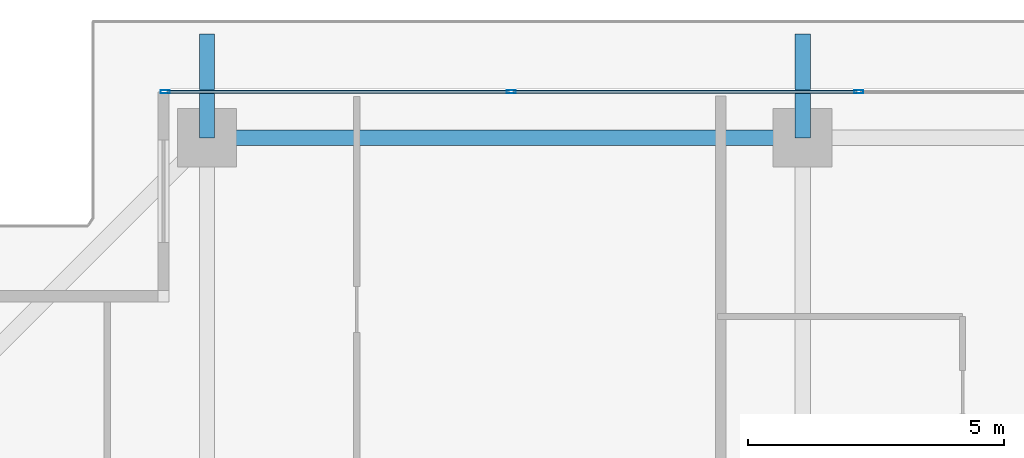
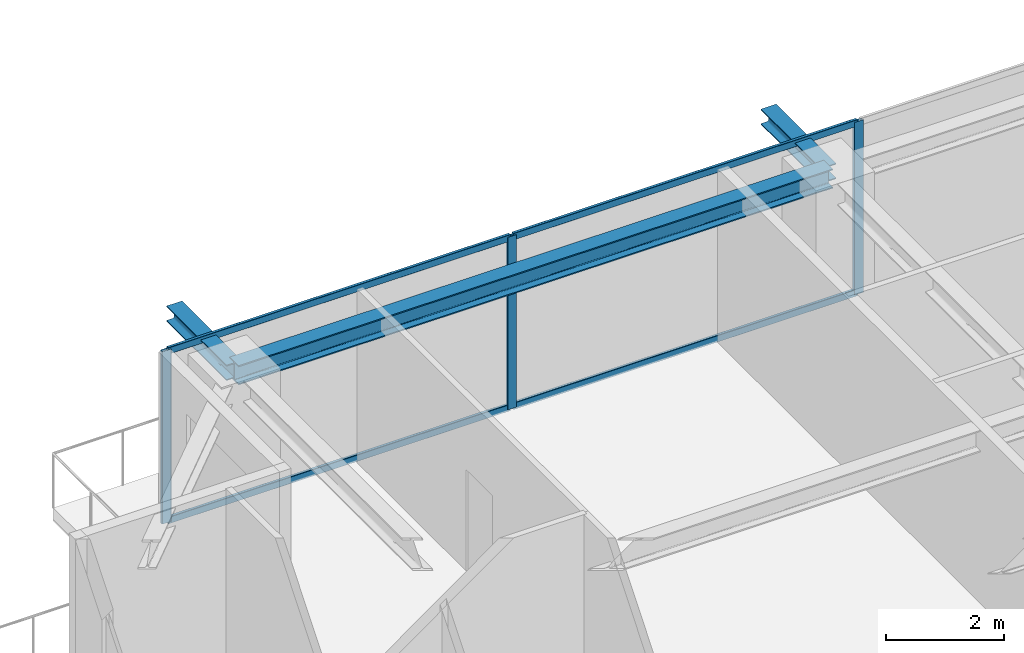
# One storey, part 18 of 38: 7 members, 3 beams, 1 element without a shape of its own.
"""IFC4 building model written with IfcOpenShell, lengths in metres."""

from ifc_helpers import new_model, si_unit, direction, frame, origin, origin_2d, place, context, subcontext, project, spatial, hollow_rectangle, i_section, extrude, source, transform, mapped, material, layer, layer_set, material_profile, profile_set, type_object, element, aggregate, save


model = new_model("IFC4")

# Units and contexts
model_context = context("Model", 3, precision=1e-05, world=origin(), true_north=direction((0.0, 1.0)))
body_context = subcontext(model_context, "Body", "Model", "MODEL_VIEW")
ifc_project = project(units=[si_unit("LENGTHUNIT", "METRE"), si_unit("AREAUNIT", "SQUARE_METRE"), si_unit("VOLUMEUNIT", "CUBIC_METRE"), si_unit("PLANEANGLEUNIT", "RADIAN"), si_unit("MASSUNIT", "GRAM", prefix="KILO")], contexts=[model_context])

# Site, building, storey
site_placement = place(None, origin())
site = spatial("IfcSite", under=ifc_project, at=site_placement, CompositionType="ELEMENT")
building_placement = place(site_placement, origin())
building = spatial("IfcBuilding", under=site, at=building_placement, Name="Serunith Strait Residences", CompositionType="ELEMENT")
storey_placement = place(building_placement, frame((0.0, 0.0, 241.25)))
storey = spatial("IfcBuildingStorey", under=building, at=storey_placement, Name="L60", CompositionType="ELEMENT", Elevation=241.25)

# Beams
ifc_material_1 = material(Name="Steel S355J2", Category="steel")
ifc_material_profile_1 = material_profile(ifc_material_1, i_section(OverallWidth=0.300048828125, OverallDepth=0.39990234375, WebThickness=0.013427734375, FlangeThickness=0.02392578125, FilletRadius=0.027099609375, at=origin_2d()), Name="HEB 400")
ifc_profile_set_1 = profile_set([ifc_material_profile_1], Name="Steel S355J2")
beam_type_1 = type_object("IfcBeamType", Name="BM-HEB400", PredefinedType="BEAM", material=ifc_profile_set_1)
shared_shape_1 = source(origin(), body_context, "Body", "SweptSolid", [
    extrude(i_section(OverallWidth=0.300048828125, OverallDepth=0.39990234375, WebThickness=0.013427734375, FlangeThickness=0.02392578125, FilletRadius=0.027099609375, at=origin_2d()), origin(), (0.0, 0.0, 1.0), 11.64990234375),
])
beam_placement = place(storey_placement, frame((27.89990234375, 48.300048828125, 3.386962890625), z_axis=(-1.0, 0.0, 0.0), x_axis=(0.0, -1.0, 0.0)))
element("IfcBeam", 1, at=beam_placement, inside=storey, type_object=beam_type_1, Name="L60 Perimeter Ring Beam 11", PredefinedType="BEAM", context=body_context, shape_type="MappedRepresentation", body=[
    mapped(shared_shape_1, transform((0.0, 0.0, 0.0), scale=1.0)),
])
ifc_material_profile_2 = material_profile(ifc_material_1, i_section(OverallWidth=0.300048828125, OverallDepth=0.320068359375, WebThickness=0.011474609375, FlangeThickness=0.0205078125, FilletRadius=0.027099609375, at=origin_2d()), Name="HEB 320")
ifc_profile_set_2 = profile_set([ifc_material_profile_2], Name="Steel S355J2")
beam_type_2 = type_object("IfcBeamType", Name="BM-HEB320", PredefinedType="BEAM", material=ifc_profile_set_2)
shared_shape_2 = source(origin(), body_context, "Body", "SweptSolid", [
    extrude(i_section(OverallWidth=0.300048828125, OverallDepth=0.320068359375, WebThickness=0.011474609375, FlangeThickness=0.0205078125, FilletRadius=0.027099609375, at=origin_2d()), origin(), (0.0, 0.0, 1.0), 2.030029296875),
])
for number, where, z_axis, x_axis, name in (
    (2, (16.25, 48.300048828125, 3.39697265625), (0.0, 1.0, 0.0), (-1.0, 0.0, 0.0), "L61 Cantilevered Balcony Rib TC-N1"),
    (3, (27.89990234375, 48.300048828125, 3.39697265625), (0.0, 1.0, 0.0), (-1.0, 0.0, 0.0), "L61 Cantilevered Balcony Rib TC-N2"),
):
    element("IfcBeam", number, at=place(storey_placement, frame(where, z_axis=z_axis, x_axis=x_axis)), inside=storey, type_object=beam_type_2, Name=name, PredefinedType="BEAM", context=body_context, shape_type="MappedRepresentation", body=[
        mapped(shared_shape_2, transform((0.0, 0.0, 0.0), scale=1.0)),
    ])

# Curtain wall, members
ifc_material_2 = material(Name="Pale-Champagne Anodised Aluminium", Category="aluminium")
ifc_layer = layer(ifc_material_2, 0.199951171875, Name="Pale-Champagne Anodised Aluminium")
ifc_layer_set = layer_set([ifc_layer], Name="Pale-Champagne Anodised Aluminium")
curtain_wall_type = type_object("IfcCurtainWallType", Name="CW-SYS4", PredefinedType="NOTDEFINED", material=ifc_layer_set)
curtain_wall_placement = place(storey_placement, origin())
curtain_wall = element("IfcCurtainWall", 4, at=curtain_wall_placement, inside=storey, type_object=curtain_wall_type, Name="L60 N Unitised Fritted Curtain Wall", PredefinedType="NOTDEFINED")
ifc_material_profile_3 = material_profile(ifc_material_2, hollow_rectangle(XDim=0.06494140625, YDim=0.179931640625, WallThickness=0.00341796875, InnerFilletRadius=0.00537109375, OuterFilletRadius=0.0087890625, at=origin_2d()), Name="ALU 180x65x3.5")
ifc_profile_set_3 = profile_set([ifc_material_profile_3], Name="Pale-Champagne Anodised Aluminium")
member_type_1 = type_object("IfcMemberType", Name="CW-SYS4-MULL", PredefinedType="MULLION", material=ifc_profile_set_3)
shared_shape_3 = source(origin(), body_context, "Body", "SweptSolid", [
    extrude(hollow_rectangle(XDim=0.06494140625, YDim=0.179931640625, WallThickness=0.00341796875, InnerFilletRadius=0.00537109375, OuterFilletRadius=0.0087890625, at=origin_2d()), origin(), (0.0, 0.0, 1.0), 3.574951171875),
])
member_1_placement = place(storey_placement, frame((29.0, 49.199951171875, 0.0), z_axis=(0.0, 0.0, 1.0), x_axis=(0.0, -1.0, 0.0)))
member_1 = element("IfcMember", 5, at=member_1_placement, type_object=member_type_1, Name="CW-4 mullion 4", PredefinedType="MULLION", context=body_context, shape_type="MappedRepresentation", body=[
    mapped(shared_shape_3, transform((0.0, 0.0, 0.0), scale=1.0)),
])
member_2_placement = place(storey_placement, frame((22.199951171875, 49.199951171875, 0.0), z_axis=(0.0, 0.0, 1.0), x_axis=(0.0, -1.0, 0.0)))
member_2 = element("IfcMember", 6, at=member_2_placement, type_object=member_type_1, Name="CW-4 mullion 5", PredefinedType="MULLION", context=body_context, shape_type="MappedRepresentation", body=[
    mapped(shared_shape_3, transform((0.0, 0.0, 0.0), scale=1.0)),
])
member_3_placement = place(storey_placement, frame((15.4326171875, 49.199951171875, 0.0), z_axis=(0.0, 0.0, 1.0), x_axis=(0.0, -1.0, 0.0)))
member_3 = element("IfcMember", 7, at=member_3_placement, type_object=member_type_1, Name="CW-4 mullion 6", PredefinedType="MULLION", context=body_context, shape_type="MappedRepresentation", body=[
    mapped(shared_shape_3, transform((0.0, 0.0, 0.0), scale=1.0)),
])
ifc_material_profile_4 = material_profile(ifc_material_2, hollow_rectangle(XDim=0.06005859375, YDim=0.139892578125, WallThickness=0.00341796875, InnerFilletRadius=0.00537109375, OuterFilletRadius=0.0087890625, at=origin_2d()), Name="ALU 140x60x3.5")
ifc_profile_set_4 = profile_set([ifc_material_profile_4], Name="Pale-Champagne Anodised Aluminium")
member_type_2 = type_object("IfcMemberType", Name="CW-SYS4-TRAN", PredefinedType="USERDEFINED", material=ifc_profile_set_4)
shared_shape_4 = source(origin(), body_context, "Body", "SweptSolid", [
    extrude(hollow_rectangle(XDim=0.06005859375, YDim=0.139892578125, WallThickness=0.00341796875, InnerFilletRadius=0.00537109375, OuterFilletRadius=0.0087890625, at=origin_2d()), origin(), (0.0, 0.0, 1.0), 6.702392578125),
])
member_4_placement = place(storey_placement, frame((22.16748046875, 49.199951171875, 0.030029296875), z_axis=(-1.0, 0.0, 0.0), x_axis=(0.0, -1.0, 0.0)))
member_4 = element("IfcMember", 8, at=member_4_placement, type_object=member_type_2, Name="CW-4 transom 5.1", ObjectType="TRANSOM", PredefinedType="USERDEFINED", context=body_context, shape_type="MappedRepresentation", body=[
    mapped(shared_shape_4, transform((0.0, 0.0, 0.0), scale=1.0)),
])
member_5_placement = place(storey_placement, frame((22.16748046875, 49.199951171875, 3.544921875), z_axis=(-1.0, 0.0, 0.0), x_axis=(0.0, -1.0, 0.0)))
member_5 = element("IfcMember", 9, at=member_5_placement, type_object=member_type_2, Name="CW-4 transom 5.2", ObjectType="TRANSOM", PredefinedType="USERDEFINED", context=body_context, shape_type="MappedRepresentation", body=[
    mapped(shared_shape_4, transform((0.0, 0.0, 0.0), scale=1.0)),
])
shared_shape_5 = source(origin(), body_context, "Body", "SweptSolid", [
    extrude(hollow_rectangle(XDim=0.06005859375, YDim=0.139892578125, WallThickness=0.00341796875, InnerFilletRadius=0.00537109375, OuterFilletRadius=0.0087890625, at=origin_2d()), origin(), (0.0, 0.0, 1.0), 6.735107421875),
])
member_6_placement = place(storey_placement, frame((28.967529296875, 49.199951171875, 0.030029296875), z_axis=(-1.0, 0.0, 0.0), x_axis=(0.0, -1.0, 0.0)))
member_6 = element("IfcMember", 10, at=member_6_placement, type_object=member_type_2, Name="CW-4 transom 4.1", ObjectType="TRANSOM", PredefinedType="USERDEFINED", context=body_context, shape_type="MappedRepresentation", body=[
    mapped(shared_shape_5, transform((0.0, 0.0, 0.0), scale=1.0)),
])
member_7_placement = place(storey_placement, frame((28.967529296875, 49.199951171875, 3.544921875), z_axis=(-1.0, 0.0, 0.0), x_axis=(0.0, -1.0, 0.0)))
member_7 = element("IfcMember", 11, at=member_7_placement, type_object=member_type_2, Name="CW-4 transom 4.2", ObjectType="TRANSOM", PredefinedType="USERDEFINED", context=body_context, shape_type="MappedRepresentation", body=[
    mapped(shared_shape_5, transform((0.0, 0.0, 0.0), scale=1.0)),
])
aggregate(curtain_wall, [member_1, member_2, member_3, member_6, member_7, member_4, member_5])

save(model, "model.ifc")
